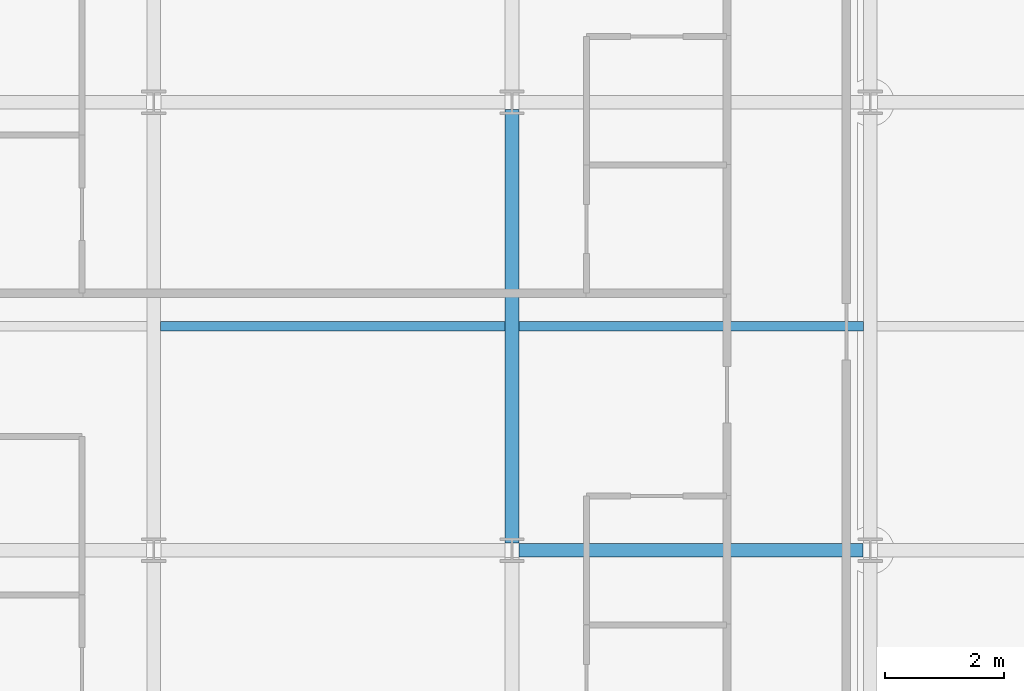
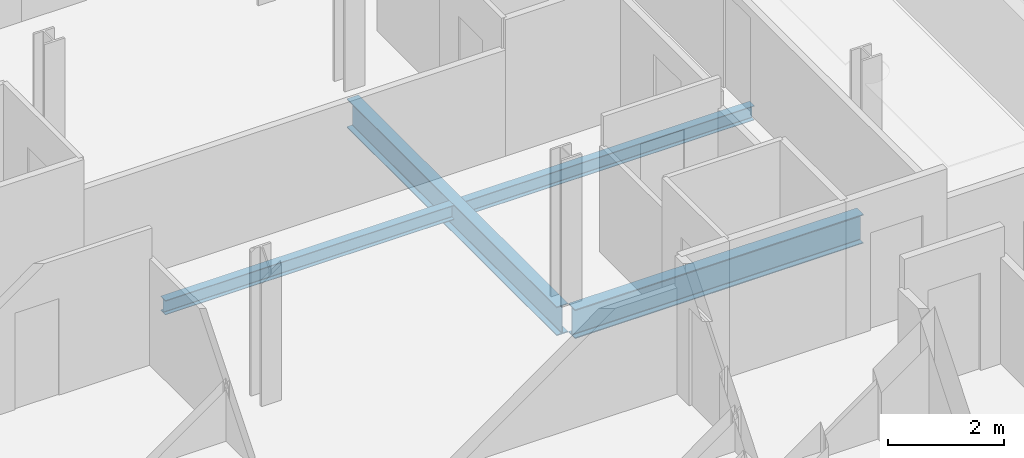
# One storey, part 8 of 41: 4 beams.
"""IFC4 building model written with IfcOpenShell, lengths in metres."""

from ifc_helpers import new_model, si_unit, direction, frame, origin, origin_2d, place, context, subcontext, project, spatial, i_section, extrude, material, material_profile, profile_set, type_object, element, save


model = new_model("IFC4")

# Units and contexts
model_context = context("Model", 3, precision=1e-05, world=origin(), true_north=direction((0.0, 1.0)))
body_context = subcontext(model_context, "Body", "Model", "MODEL_VIEW")
ifc_project = project(units=[si_unit("LENGTHUNIT", "METRE"), si_unit("AREAUNIT", "SQUARE_METRE"), si_unit("VOLUMEUNIT", "CUBIC_METRE"), si_unit("PLANEANGLEUNIT", "RADIAN"), si_unit("MASSUNIT", "GRAM", prefix="KILO")], contexts=[model_context])

# Site, building, storey
site_placement = place(None, origin())
site = spatial("IfcSite", under=ifc_project, at=site_placement, CompositionType="ELEMENT")
building_placement = place(site_placement, origin())
building = spatial("IfcBuilding", under=site, at=building_placement, Name="Brevholm Reach", CompositionType="ELEMENT")
storey_placement = place(building_placement, frame((0.0, 0.0, 138.699951171875)))
storey = spatial("IfcBuildingStorey", under=building, at=storey_placement, Name="L41", CompositionType="ELEMENT", Elevation=138.699951171875)

# Beams
ifc_material_1 = material(Name="Structural Steel S355J2", Category="steel")
ifc_material_profile_1 = material_profile(ifc_material_1, i_section(OverallWidth=0.1650390625, OverallDepth=0.303466796875, WebThickness=0.006103515625, FlangeThickness=0.01025390625, FilletRadius=0.0087890625, at=origin_2d()), Name="UKB 305x165x40")
ifc_profile_set_1 = profile_set([ifc_material_profile_1], Name="Structural Steel S355J2")
beam_type_1 = type_object("IfcBeamType", Name="BM-B305", PredefinedType="BEAM", material=ifc_profile_set_1)
for number, where, z_axis, x_axis, name in (
    (1, (6.114501953125, 19.75, -0.37158203125), (1.0, 0.0, 0.0), (0.0, 1.0, 0.0), "L41 Composite Secondary Floor Beam"),
    (2, (12.114501953125, 19.75, -0.37158203125), (1.0, 0.0, 0.0), (0.0, 1.0, 0.0), "L41 Composite Secondary Floor Beam"),
):
    element("IfcBeam", number, at=place(storey_placement, frame(where, z_axis=z_axis, x_axis=x_axis)), inside=storey, type_object=beam_type_1, Name=name, PredefinedType="BEAM", context=body_context, shape_type="SweptSolid", body=[
        extrude(i_section(OverallWidth=0.1650390625, OverallDepth=0.303466796875, WebThickness=0.006103515625, FlangeThickness=0.01025390625, FilletRadius=0.0087890625, at=origin_2d()), origin(), (0.0, 0.0, 1.0), 5.77099609375),
    ])
ifc_material_2 = material(Name="Structural Steel S355J2", Category="steel")
ifc_material_profile_2 = material_profile(ifc_material_2, i_section(OverallWidth=0.22900390625, OverallDepth=0.6123046875, WebThickness=0.011962890625, FlangeThickness=0.01953125, FilletRadius=0.0126953125, at=origin_2d()), Name="UKB 610x229x125")
ifc_profile_set_2 = profile_set([ifc_material_profile_2], Name="Structural Steel S355J2")
beam_type_2 = type_object("IfcBeamType", Name="BM-SP610", PredefinedType="SPANDREL", material=ifc_profile_set_2)
beam_1_placement = place(storey_placement, frame((12.1201171875, 16.0, -0.526123046875), z_axis=(1.0, 0.0, 0.0), x_axis=(0.0, 1.0, 0.0)))
element("IfcBeam", 3, at=beam_1_placement, inside=storey, type_object=beam_type_2, Name="L41 SP-01 Framing Beam", PredefinedType="SPANDREL", context=body_context, shape_type="SweptSolid", body=[
    extrude(i_section(OverallWidth=0.22900390625, OverallDepth=0.6123046875, WebThickness=0.011962890625, FlangeThickness=0.01953125, FilletRadius=0.0126953125, at=origin_2d()), origin(), (0.0, 0.0, 1.0), 5.759765625),
])
beam_2_placement = place(storey_placement, frame((12.0, 16.1201171875, -0.526123046875), z_axis=(0.0, 1.0, 0.0), x_axis=(-1.0, 0.0, 0.0)))
element("IfcBeam", 4, at=beam_2_placement, inside=storey, type_object=beam_type_2, Name="L41 SP-01 Framing Beam", PredefinedType="SPANDREL", context=body_context, shape_type="SweptSolid", body=[
    extrude(i_section(OverallWidth=0.22900390625, OverallDepth=0.6123046875, WebThickness=0.011962890625, FlangeThickness=0.01953125, FilletRadius=0.0126953125, at=origin_2d()), origin(), (0.0, 0.0, 1.0), 7.259765625),
])

save(model, "model.ifc")
